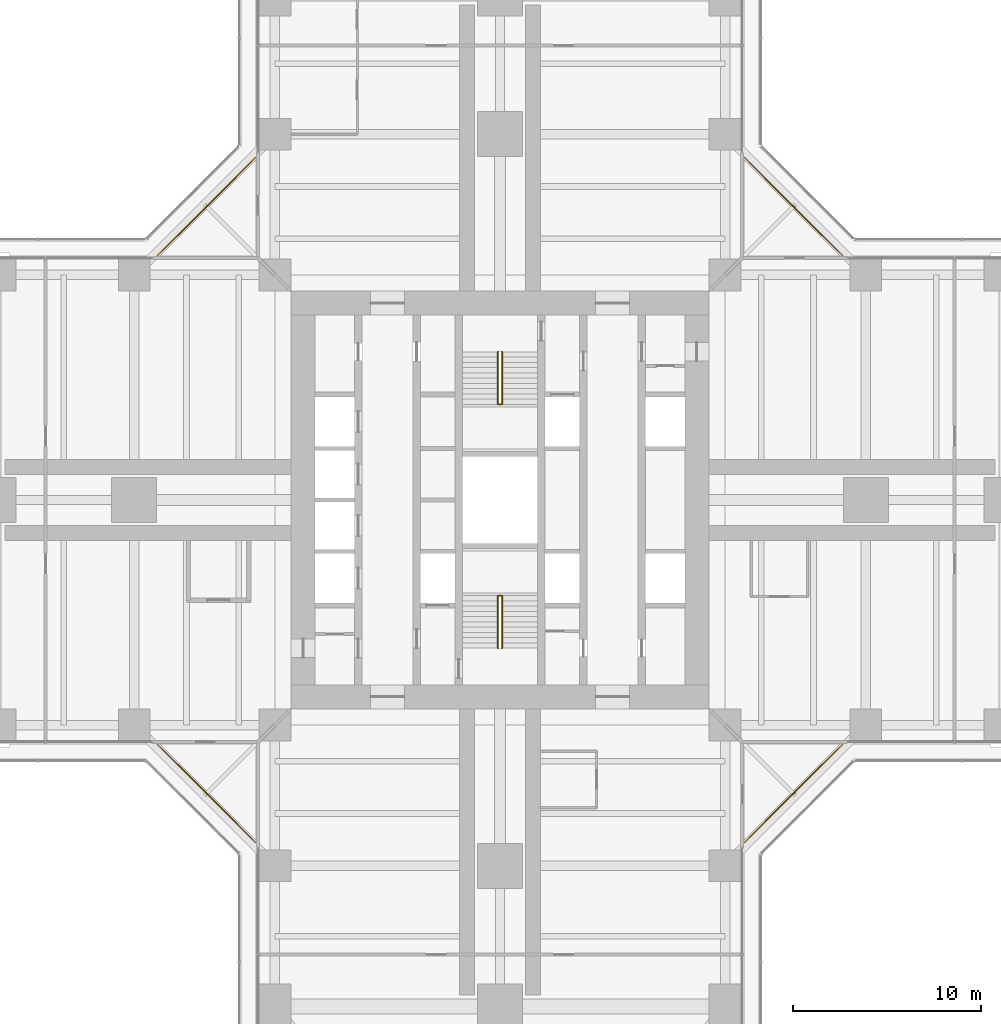
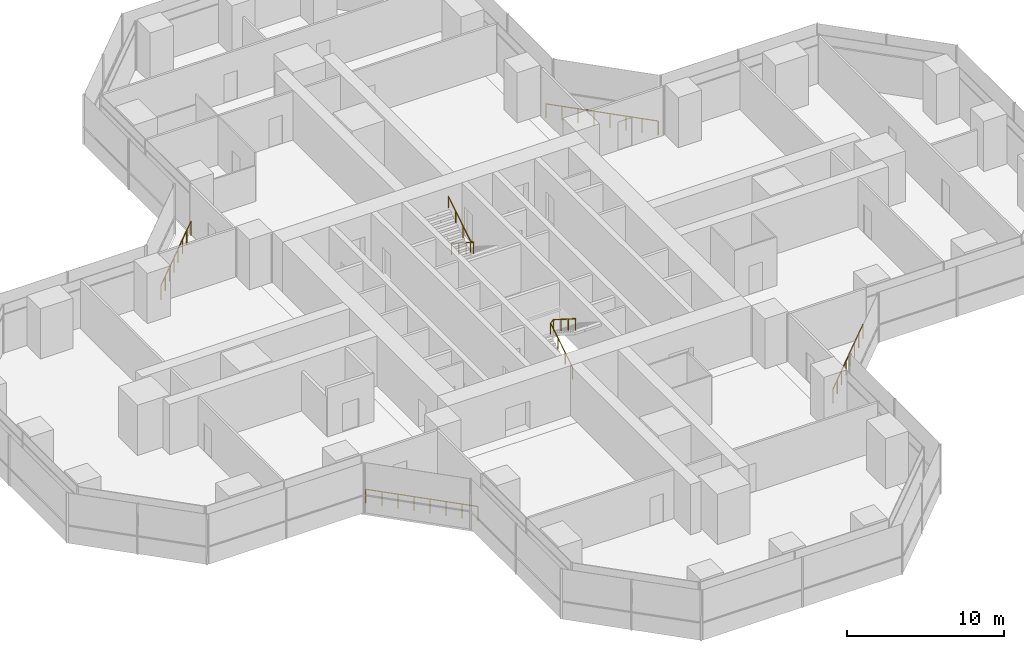
# One storey, part 22 of 22: 6 railings.
"""IFC4 building model written with IfcOpenShell, lengths in metres."""

from ifc_helpers import new_model, si_unit, direction, frame, origin, origin_2d, place, context, subcontext, project, spatial, circle, extrude, material, type_object, element, save


model = new_model("IFC4")

# Units and contexts
model_context = context("Model", 3, precision=1e-05, world=origin(), true_north=direction((0.0, 1.0)))
body_context = subcontext(model_context, "Body", "Model", "MODEL_VIEW")
ifc_project = project(units=[si_unit("LENGTHUNIT", "METRE"), si_unit("AREAUNIT", "SQUARE_METRE"), si_unit("VOLUMEUNIT", "CUBIC_METRE"), si_unit("PLANEANGLEUNIT", "RADIAN"), si_unit("MASSUNIT", "GRAM", prefix="KILO")], contexts=[model_context])

# Site, building, storey
site_placement = place(None, origin())
site = spatial("IfcSite", under=ifc_project, at=site_placement, CompositionType="ELEMENT")
building_placement = place(site_placement, origin())
building = spatial("IfcBuilding", under=site, at=building_placement, Name="Mizan Broadcast Tower", CompositionType="ELEMENT")
storey_placement = place(building_placement, frame((0.0, 0.0, 109.800048828125)))
storey = spatial("IfcBuildingStorey", under=building, at=storey_placement, Name="L24", CompositionType="ELEMENT", Elevation=109.800048828125)

# Railings
ifc_material_1 = material(Name="Stainless steel and glass guard", Category="steel")
railing_type_1 = type_object("IfcRailingType", Name="GUARD 1100", PredefinedType="GUARDRAIL", material=ifc_material_1)
railing_1_placement = place(storey_placement, frame((18.2578125, 13.030029296875, 0.0)))
element("IfcRailing", 1, at=railing_1_placement, inside=storey, type_object=railing_type_1, Name="Winter garden guard L24 E", PredefinedType="GUARDRAIL", context=body_context, shape_type="SweptSolid", body=[
    extrude(circle(Radius=0.02392578125, at=origin_2d()), frame((0.0, 0.0, 1.076171875), z_axis=(-0.707106781187, 0.707106781187, 0.0), x_axis=(-0.707106781187, -0.707106781187, 0.0)), (0.0, 0.0, 1.0), 7.393310546875),
    extrude(circle(Radius=0.02099609375, at=origin_2d()), origin(), (0.0, 0.0, 1.0), 1.052001953125),
    extrude(circle(Radius=0.02099609375, at=origin_2d()), frame((-0.746826171875, 0.746826171875, 0.0)), (0.0, 0.0, 1.0), 1.052001953125),
    extrude(circle(Radius=0.02099609375, at=origin_2d()), frame((-1.49365234375, 1.49365234375, 0.0)), (0.0, 0.0, 1.0), 1.052001953125),
    extrude(circle(Radius=0.02099609375, at=origin_2d()), frame((-2.240478515625, 2.240478515625, 0.0)), (0.0, 0.0, 1.0), 1.052001953125),
    extrude(circle(Radius=0.02099609375, at=origin_2d()), frame((-2.9873046875, 2.9873046875, 0.0)), (0.0, 0.0, 1.0), 1.052001953125),
    extrude(circle(Radius=0.02099609375, at=origin_2d()), frame((-3.734130859375, 3.734130859375, 0.0)), (0.0, 0.0, 1.0), 1.052001953125),
    extrude(circle(Radius=0.02099609375, at=origin_2d()), frame((-4.48095703125, 4.48095703125, 0.0)), (0.0, 0.0, 1.0), 1.052001953125),
    extrude(circle(Radius=0.02099609375, at=origin_2d()), frame((-5.227783203125, 5.227783203125, 0.0)), (0.0, 0.0, 1.0), 1.052001953125),
])
railing_2_placement = place(storey_placement, frame((-13.030029296875, 18.2578125, 0.0)))
element("IfcRailing", 2, at=railing_2_placement, inside=storey, type_object=railing_type_1, Name="Winter garden guard L24 N", PredefinedType="GUARDRAIL", context=body_context, shape_type="SweptSolid", body=[
    extrude(circle(Radius=0.02392578125, at=origin_2d()), frame((0.0, 0.0, 1.076171875), z_axis=(-0.707106781187, -0.707106781187, 0.0), x_axis=(0.707106781187, -0.707106781187, 0.0)), (0.0, 0.0, 1.0), 7.393310546875),
    extrude(circle(Radius=0.02099609375, at=origin_2d()), origin(), (0.0, 0.0, 1.0), 1.052001953125),
    extrude(circle(Radius=0.02099609375, at=origin_2d()), frame((-0.746826171875, -0.746826171875, 0.0)), (0.0, 0.0, 1.0), 1.052001953125),
    extrude(circle(Radius=0.02099609375, at=origin_2d()), frame((-1.49365234375, -1.49365234375, 0.0)), (0.0, 0.0, 1.0), 1.052001953125),
    extrude(circle(Radius=0.02099609375, at=origin_2d()), frame((-2.240478515625, -2.240478515625, 0.0)), (0.0, 0.0, 1.0), 1.052001953125),
    extrude(circle(Radius=0.02099609375, at=origin_2d()), frame((-2.9873046875, -2.9873046875, 0.0)), (0.0, 0.0, 1.0), 1.052001953125),
    extrude(circle(Radius=0.02099609375, at=origin_2d()), frame((-3.734130859375, -3.734130859375, 0.0)), (0.0, 0.0, 1.0), 1.052001953125),
    extrude(circle(Radius=0.02099609375, at=origin_2d()), frame((-4.48095703125, -4.48095703125, 0.0)), (0.0, 0.0, 1.0), 1.052001953125),
    extrude(circle(Radius=0.02099609375, at=origin_2d()), frame((-5.227783203125, -5.227783203125, 0.0)), (0.0, 0.0, 1.0), 1.052001953125),
])
railing_3_placement = place(storey_placement, frame((-18.2578125, -13.030029296875, 0.0)))
element("IfcRailing", 3, at=railing_3_placement, inside=storey, type_object=railing_type_1, Name="Winter garden guard L24 W", PredefinedType="GUARDRAIL", context=body_context, shape_type="SweptSolid", body=[
    extrude(circle(Radius=0.02392578125, at=origin_2d()), frame((0.0, 0.0, 1.076171875), z_axis=(0.707106781187, -0.707106781187, 0.0), x_axis=(0.707106781187, 0.707106781187, 0.0)), (0.0, 0.0, 1.0), 7.393310546875),
    extrude(circle(Radius=0.02099609375, at=origin_2d()), origin(), (0.0, 0.0, 1.0), 1.052001953125),
    extrude(circle(Radius=0.02099609375, at=origin_2d()), frame((0.746826171875, -0.746826171875, 0.0)), (0.0, 0.0, 1.0), 1.052001953125),
    extrude(circle(Radius=0.02099609375, at=origin_2d()), frame((1.49365234375, -1.49365234375, 0.0)), (0.0, 0.0, 1.0), 1.052001953125),
    extrude(circle(Radius=0.02099609375, at=origin_2d()), frame((2.240478515625, -2.240478515625, 0.0)), (0.0, 0.0, 1.0), 1.052001953125),
    extrude(circle(Radius=0.02099609375, at=origin_2d()), frame((2.9873046875, -2.9873046875, 0.0)), (0.0, 0.0, 1.0), 1.052001953125),
    extrude(circle(Radius=0.02099609375, at=origin_2d()), frame((3.734130859375, -3.734130859375, 0.0)), (0.0, 0.0, 1.0), 1.052001953125),
    extrude(circle(Radius=0.02099609375, at=origin_2d()), frame((4.48095703125, -4.48095703125, 0.0)), (0.0, 0.0, 1.0), 1.052001953125),
    extrude(circle(Radius=0.02099609375, at=origin_2d()), frame((5.227783203125, -5.227783203125, 0.0)), (0.0, 0.0, 1.0), 1.052001953125),
])
railing_4_placement = place(storey_placement, frame((13.030029296875, -18.2578125, 0.0)))
element("IfcRailing", 4, at=railing_4_placement, inside=storey, type_object=railing_type_1, Name="Winter garden guard L24 S", PredefinedType="GUARDRAIL", context=body_context, shape_type="SweptSolid", body=[
    extrude(circle(Radius=0.02392578125, at=origin_2d()), frame((0.0, 0.0, 1.076171875), z_axis=(0.707106781187, 0.707106781187, 0.0), x_axis=(-0.707106781187, 0.707106781187, 0.0)), (0.0, 0.0, 1.0), 7.393310546875),
    extrude(circle(Radius=0.02099609375, at=origin_2d()), origin(), (0.0, 0.0, 1.0), 1.052001953125),
    extrude(circle(Radius=0.02099609375, at=origin_2d()), frame((0.746826171875, 0.746826171875, 0.0)), (0.0, 0.0, 1.0), 1.052001953125),
    extrude(circle(Radius=0.02099609375, at=origin_2d()), frame((1.49365234375, 1.49365234375, 0.0)), (0.0, 0.0, 1.0), 1.052001953125),
    extrude(circle(Radius=0.02099609375, at=origin_2d()), frame((2.240478515625, 2.240478515625, 0.0)), (0.0, 0.0, 1.0), 1.052001953125),
    extrude(circle(Radius=0.02099609375, at=origin_2d()), frame((2.9873046875, 2.9873046875, 0.0)), (0.0, 0.0, 1.0), 1.052001953125),
    extrude(circle(Radius=0.02099609375, at=origin_2d()), frame((3.734130859375, 3.734130859375, 0.0)), (0.0, 0.0, 1.0), 1.052001953125),
    extrude(circle(Radius=0.02099609375, at=origin_2d()), frame((4.48095703125, 4.48095703125, 0.0)), (0.0, 0.0, 1.0), 1.052001953125),
    extrude(circle(Radius=0.02099609375, at=origin_2d()), frame((5.227783203125, 5.227783203125, 0.0)), (0.0, 0.0, 1.0), 1.052001953125),
])
ifc_material_2 = material(Name="Stainless steel", Category="steel")
railing_type_2 = type_object("IfcRailingType", Name="HANDRAIL 50", PredefinedType="HANDRAIL", material=ifc_material_2)
railing_5_placement = place(storey_placement, frame((-0.110107421875, -7.89990234375, 0.17724609375)))
element("IfcRailing", 5, at=railing_5_placement, inside=storey, type_object=railing_type_2, Name="Stair A handrail", PredefinedType="HANDRAIL", context=body_context, shape_type="SweptSolid", body=[
    extrude(circle(Radius=0.02392578125, at=origin_2d()), frame((0.0, 0.0, 0.8759765625), z_axis=(0.0, 0.844887892834, 0.53494340686), x_axis=(-1.0, 0.0, 0.0)), (0.0, 0.0, 1.0), 3.313720703125),
    extrude(circle(Radius=0.02392578125, at=origin_2d()), frame((0.0, 2.7998046875, 2.6484375), z_axis=(0.779011685263, 0.0, 0.627009405212), x_axis=(0.0, 1.0, 0.0)), (0.0, 0.0, 1.0), 0.28271484375),
    extrude(circle(Radius=0.02392578125, at=origin_2d()), frame((0.22021484375, 2.7998046875, 2.82568359375), z_axis=(0.0, -0.844887892834, 0.53494340686), x_axis=(1.0, 0.0, 0.0)), (0.0, 0.0, 1.0), 3.313720703125),
    extrude(circle(Radius=0.02099609375, at=origin_2d()), origin(), (0.0, 0.0, 1.0), 0.851806640625),
    extrude(circle(Radius=0.02099609375, at=origin_2d()), frame((0.0, 0.933349609375, 0.5908203125)), (0.0, 0.0, 1.0), 0.851806640625),
    extrude(circle(Radius=0.02099609375, at=origin_2d()), frame((0.0, 1.866455078125, 1.181884765625)), (0.0, 0.0, 1.0), 0.851806640625),
    extrude(circle(Radius=0.02099609375, at=origin_2d()), frame((0.0, 2.7998046875, 1.772705078125)), (0.0, 0.0, 1.0), 0.851806640625),
    extrude(circle(Radius=0.02099609375, at=origin_2d()), frame((0.22021484375, 2.7998046875, 1.949951171875)), (0.0, 0.0, 1.0), 0.851806640625),
    extrude(circle(Radius=0.02099609375, at=origin_2d()), frame((0.22021484375, 1.866455078125, 2.540771484375)), (0.0, 0.0, 1.0), 0.851806640625),
    extrude(circle(Radius=0.02099609375, at=origin_2d()), frame((0.22021484375, 0.933349609375, 3.1318359375)), (0.0, 0.0, 1.0), 0.851806640625),
    extrude(circle(Radius=0.02099609375, at=origin_2d()), frame((0.22021484375, 0.0, 3.72265625)), (0.0, 0.0, 1.0), 0.851806640625),
])
railing_6_placement = place(storey_placement, frame((0.110107421875, 7.89990234375, 0.17724609375)))
element("IfcRailing", 6, at=railing_6_placement, inside=storey, type_object=railing_type_2, Name="Stair B handrail", PredefinedType="HANDRAIL", context=body_context, shape_type="SweptSolid", body=[
    extrude(circle(Radius=0.02392578125, at=origin_2d()), frame((0.0, 0.0, 0.8759765625), z_axis=(0.0, -0.844887892834, 0.53494340686), x_axis=(1.0, 0.0, 0.0)), (0.0, 0.0, 1.0), 3.313720703125),
    extrude(circle(Radius=0.02392578125, at=origin_2d()), frame((0.0, -2.7998046875, 2.6484375), z_axis=(-0.779011685263, 0.0, 0.627009405212), x_axis=(0.0, -1.0, 0.0)), (0.0, 0.0, 1.0), 0.28271484375),
    extrude(circle(Radius=0.02392578125, at=origin_2d()), frame((-0.22021484375, -2.7998046875, 2.82568359375), z_axis=(0.0, 0.844887892834, 0.53494340686), x_axis=(-1.0, 0.0, 0.0)), (0.0, 0.0, 1.0), 3.313720703125),
    extrude(circle(Radius=0.02099609375, at=origin_2d()), origin(), (0.0, 0.0, 1.0), 0.851806640625),
    extrude(circle(Radius=0.02099609375, at=origin_2d()), frame((0.0, -0.933349609375, 0.5908203125)), (0.0, 0.0, 1.0), 0.851806640625),
    extrude(circle(Radius=0.02099609375, at=origin_2d()), frame((0.0, -1.866455078125, 1.181884765625)), (0.0, 0.0, 1.0), 0.851806640625),
    extrude(circle(Radius=0.02099609375, at=origin_2d()), frame((0.0, -2.7998046875, 1.772705078125)), (0.0, 0.0, 1.0), 0.851806640625),
    extrude(circle(Radius=0.02099609375, at=origin_2d()), frame((-0.22021484375, -2.7998046875, 1.949951171875)), (0.0, 0.0, 1.0), 0.851806640625),
    extrude(circle(Radius=0.02099609375, at=origin_2d()), frame((-0.22021484375, -1.866455078125, 2.540771484375)), (0.0, 0.0, 1.0), 0.851806640625),
    extrude(circle(Radius=0.02099609375, at=origin_2d()), frame((-0.22021484375, -0.933349609375, 3.1318359375)), (0.0, 0.0, 1.0), 0.851806640625),
    extrude(circle(Radius=0.02099609375, at=origin_2d()), frame((-0.22021484375, 0.0, 3.72265625)), (0.0, 0.0, 1.0), 0.851806640625),
])

save(model, "model.ifc")
